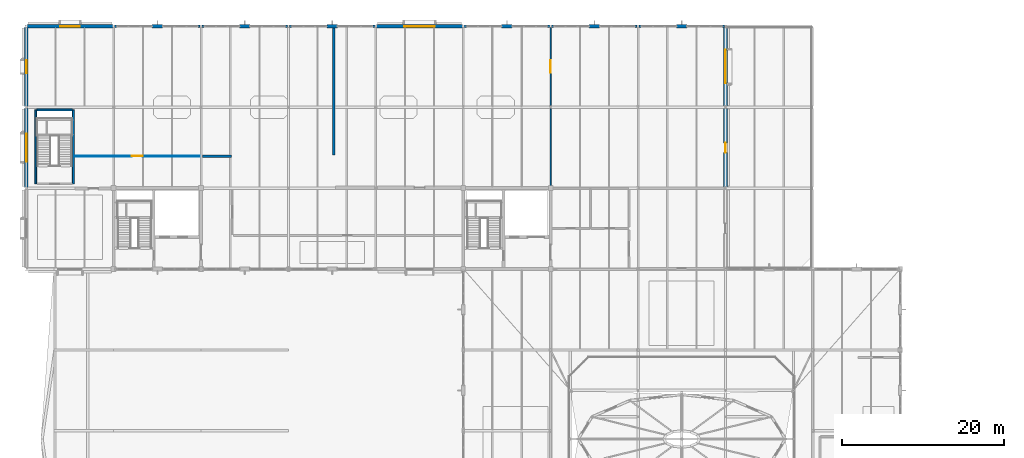
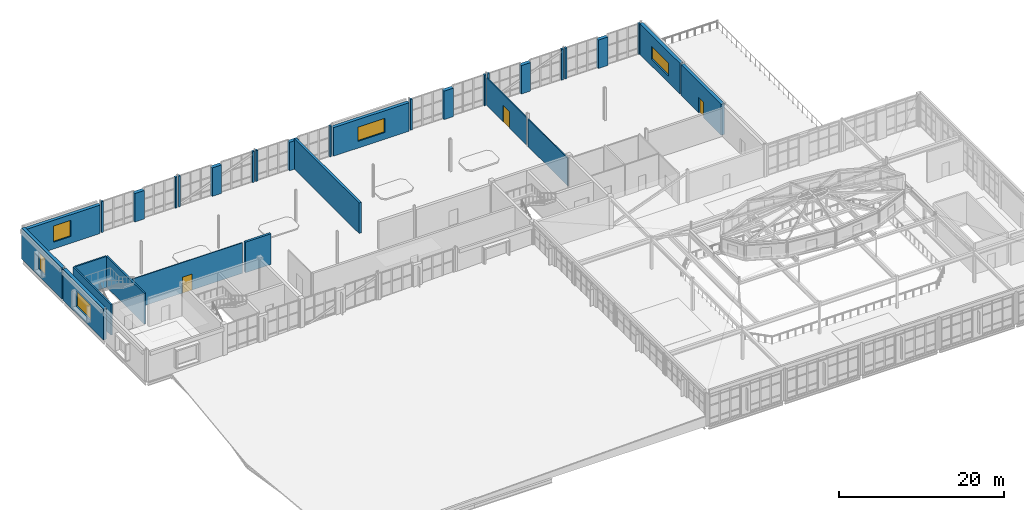
# One storey, part 77 of 86: 32 walls, 5 windows, 3 doors, 8 openings.
"""IFC4 building model written with IfcOpenShell, lengths in metres."""

from ifc_helpers import new_model, si_unit, direction, frame, frame_2d, origin, place, context, subcontext, project, spatial, rectangle, extrude, material, layer, layer_set, type_object, element, fill, save


model = new_model("IFC4")

# Units and contexts
model_context = context("Model", 3, precision=1e-05, world=origin(), true_north=direction((0.0, 1.0)))
body_context = subcontext(model_context, "Body", "Model", "MODEL_VIEW")
ifc_project = project(units=[si_unit("LENGTHUNIT", "METRE"), si_unit("AREAUNIT", "SQUARE_METRE"), si_unit("VOLUMEUNIT", "CUBIC_METRE"), si_unit("PLANEANGLEUNIT", "RADIAN"), si_unit("MASSUNIT", "GRAM", prefix="KILO")], contexts=[model_context])

# Site, building, storey
site_placement = place(None, origin())
site = spatial("IfcSite", under=ifc_project, at=site_placement, CompositionType="ELEMENT")
building_placement = place(site_placement, origin())
building = spatial("IfcBuilding", under=site, at=building_placement, Name="Tasgan Crest Museum", CompositionType="ELEMENT")
storey_placement = place(building_placement, frame((0.0, 0.0, 24.0)))
storey = spatial("IfcBuildingStorey", under=building, at=storey_placement, Name="L04", CompositionType="ELEMENT", Elevation=24.0)

# Walls
ifc_material_1 = material(Name="Precast concrete C40/50", Category="concrete")
ifc_layer_1 = layer(ifc_material_1, 0.320068359375, Name="WL-EXT-CLER-320")
ifc_layer_set_1 = layer_set([ifc_layer_1], Name="Precast concrete C40/50")
wall_type_1 = type_object("IfcWallType", Name="WL-EXT-CLER-320", PredefinedType="STANDARD", material=ifc_layer_set_1)
for number, where, z_axis, x_axis, name in (
    (1, (86.2939453125, 112.0, 0.0), (0.0, 0.0, 1.0), (-1.0, 0.0, 0.0), "Curtain wall jamb closure L04 JL"),
    (2, (75.969970703125, 112.0, 0.0), (0.0, 0.0, 1.0), (-1.0, 0.0, 0.0), "Curtain wall jamb closure L04 JR"),
    (3, (75.493896484375, 112.0, 0.0), (0.0, 0.0, 1.0), (-1.0, 0.0, 0.0), "Curtain wall jamb closure L04 JL"),
    (4, (65.169921875, 112.0, 0.0), (0.0, 0.0, 1.0), (-1.0, 0.0, 0.0), "Curtain wall jamb closure L04 JR"),
):
    element("IfcWall", number, at=place(storey_placement, frame(where, z_axis=z_axis, x_axis=x_axis)), inside=storey, type_object=wall_type_1, Name=name, PredefinedType="STANDARD", context=body_context, shape_type="SweptSolid", body=[
        extrude(rectangle(XDim=0.263916015625, YDim=0.300048828125, at=frame_2d((0.1318359375, 0.0))), origin(), (0.0, 0.0, 1.0), 4.56005859375),
    ])
for number, where, z_axis, x_axis, name in (
    (5, (64.694091796875, 112.0, 0.0), (0.0, 0.0, 1.0), (-1.0, 0.0, 0.0), "Curtain wall jamb closure L04 JL"),
    (6, (54.3701171875, 112.0, 0.0), (0.0, 0.0, 1.0), (-1.0, 0.0, 0.0), "Curtain wall jamb closure L04 JR"),
):
    element("IfcWall", number, at=place(storey_placement, frame(where, z_axis=z_axis, x_axis=x_axis)), inside=storey, type_object=wall_type_1, Name=name, PredefinedType="STANDARD", context=body_context, shape_type="SweptSolid", body=[
        extrude(rectangle(XDim=0.26416015625, YDim=0.300048828125, at=frame_2d((0.132080078125, 0.0))), origin(), (0.0, 0.0, 1.0), 4.56005859375),
    ])
for number, where, z_axis, x_axis, name in (
    (7, (43.093994140625, 112.0, 0.0), (0.0, 0.0, 1.0), (-1.0, 0.0, 0.0), "Curtain wall jamb closure L04 JL"),
    (8, (32.77001953125, 112.0, 0.0), (0.0, 0.0, 1.0), (-1.0, 0.0, 0.0), "Curtain wall jamb closure L04 JR"),
    (9, (32.2939453125, 112.0, 0.0), (0.0, 0.0, 1.0), (-1.0, 0.0, 0.0), "Curtain wall jamb closure L04 JL"),
    (10, (21.969970703125, 112.0, 0.0), (0.0, 0.0, 1.0), (-1.0, 0.0, 0.0), "Curtain wall jamb closure L04 JR"),
    (11, (21.493896484375, 112.0, 0.0), (0.0, 0.0, 1.0), (-1.0, 0.0, 0.0), "Curtain wall jamb closure L04 JL"),
    (12, (11.169921875, 112.0, 0.0), (0.0, 0.0, 1.0), (-1.0, 0.0, 0.0), "Curtain wall jamb closure L04 JR"),
):
    element("IfcWall", number, at=place(storey_placement, frame(where, z_axis=z_axis, x_axis=x_axis)), inside=storey, type_object=wall_type_1, Name=name, PredefinedType="STANDARD", context=body_context, shape_type="SweptSolid", body=[
        extrude(rectangle(XDim=0.263916015625, YDim=0.300048828125, at=frame_2d((0.1318359375, 0.0))), origin(), (0.0, 0.0, 1.0), 4.56005859375),
    ])
ifc_material_2 = material(Name="Precast concrete C40/50", Category="concrete")
ifc_layer_2 = layer(ifc_material_2, 0.47998046875, Name="WL-EXT-GRAN-480")
ifc_layer_set_2 = layer_set([ifc_layer_2], Name="Precast concrete C40/50")
wall_type_2 = type_object("IfcWallType", Name="WL-EXT-GRAN-480", PredefinedType="STANDARD", material=ifc_layer_set_2)
wall_1_placement = place(storey_placement, frame((81.64990234375, 112.0, 0.0), z_axis=(0.0, 0.0, 1.0), x_axis=(-1.0, 0.0, 0.0)))
element("IfcWall", 13, at=wall_1_placement, inside=storey, type_object=wall_type_2, Name="Postmodern facade stone pier L04", PredefinedType="STANDARD", context=body_context, shape_type="SweptSolid", body=[
    extrude(rectangle(XDim=1.2998046875, YDim=0.47998046875, at=frame_2d((0.64990234375, 0.0))), origin(), (0.0, 0.0, 1.0), 4.208984375),
])
for number, where, z_axis, x_axis, name in (
    (14, (70.85009765625, 112.0, 0.0), (0.0, 0.0, 1.0), (-1.0, 0.0, 0.0), "Postmodern facade stone pier L04"),
    (15, (60.050048828125, 112.0, 0.0), (0.0, 0.0, 1.0), (-1.0, 0.0, 0.0), "Postmodern facade stone pier L04"),
    (16, (38.449951171875, 112.0, 0.0), (0.0, 0.0, 1.0), (-1.0, 0.0, 0.0), "Postmodern facade stone pier L04"),
):
    element("IfcWall", number, at=place(storey_placement, frame(where, z_axis=z_axis, x_axis=x_axis)), inside=storey, type_object=wall_type_2, Name=name, PredefinedType="STANDARD", context=body_context, shape_type="SweptSolid", body=[
        extrude(rectangle(XDim=1.300048828125, YDim=0.47998046875, at=frame_2d((0.64990234375, 0.0))), origin(), (0.0, 0.0, 1.0), 4.218994140625),
    ])
wall_2_placement = place(storey_placement, frame((27.64990234375, 112.0, 0.0), z_axis=(0.0, 0.0, 1.0), x_axis=(-1.0, 0.0, 0.0)))
element("IfcWall", 17, at=wall_2_placement, inside=storey, type_object=wall_type_2, Name="Postmodern facade stone pier L04", PredefinedType="STANDARD", context=body_context, shape_type="SweptSolid", body=[
    extrude(rectangle(XDim=1.2998046875, YDim=0.47998046875, at=frame_2d((0.64990234375, 0.0))), origin(), (0.0, 0.0, 1.0), 4.218994140625),
])
wall_3_placement = place(storey_placement, frame((16.85009765625, 112.0, 0.0), z_axis=(0.0, 0.0, 1.0), x_axis=(-1.0, 0.0, 0.0)))
element("IfcWall", 18, at=wall_3_placement, inside=storey, type_object=wall_type_2, Name="Postmodern facade stone pier L04", PredefinedType="STANDARD", context=body_context, shape_type="SweptSolid", body=[
    extrude(rectangle(XDim=1.300048828125, YDim=0.47998046875, at=frame_2d((0.64990234375, 0.0))), origin(), (0.0, 0.0, 1.0), 4.218994140625),
])

# Wall, opening, door
ifc_material_3 = material(Name="Precast concrete C40/50", Category="concrete")
ifc_layer_3 = layer(ifc_material_3, 0.449951171875, Name="WL-EXT-LIME-450")
ifc_layer_set_3 = layer_set([ifc_layer_3], Name="Precast concrete C40/50")
wall_type_3 = type_object("IfcWallType", Name="WL-EXT-LIME-450", PredefinedType="STANDARD", material=ifc_layer_set_3)
wall_4_placement = place(storey_placement, frame((86.39990234375, 92.14501953125, 0.0), z_axis=(0.0, 0.0, 1.0), x_axis=(0.0, 1.0, 0.0)))
wall_4 = element("IfcWall", 19, at=wall_4_placement, inside=storey, type_object=wall_type_3, Name="Exterior wall L04 (86.4,97.0)", PredefinedType="STANDARD", context=body_context, shape_type="SweptSolid", body=[
    extrude(rectangle(XDim=9.7099609375, YDim=0.449951171875, at=frame_2d((4.85498046875, 0.0))), origin(), (0.0, 0.0, 1.0), 4.56005859375),
])
opening_1_placement = place(wall_4_placement, frame((4.2548828125, 0.0, 0.0)))
opening_1 = element("IfcOpeningElement", 20, at=opening_1_placement, cuts=wall_4, Name="Opening ED018", PredefinedType="OPENING", context=body_context, shape_type="SweptSolid", body=[
    extrude(rectangle(XDim=1.199951171875, YDim=2.300048828125, at=frame_2d((0.60009765625, 1.14990234375))), frame((0.0, 0.23486328125, 0.0), z_axis=(0.0, -1.0, 0.0), x_axis=(1.0, 0.0, 0.0)), (0.0, 0.0, 1.0), 0.469970703125),
])
ifc_material_4 = material(Name="Thermally Broken Insulated Steel and Bronze", Category="steel")
door_type_1 = type_object("IfcDoorType", Name="DR-TERR-SGL-1200", OperationType="NOTDEFINED", PredefinedType="DOOR", material=ifc_material_4)
door_1_placement = place(opening_1_placement, frame((1.199951171875, 0.0, 0.0), z_axis=(0.0, 0.0, 1.0), x_axis=(-1.0, 0.0, 0.0)))
door_1 = element("IfcDoor", 21, at=door_1_placement, inside=storey, type_object=door_type_1, Name="North sculpture terrace access door ED018", OperationType="SINGLE_SWING_RIGHT", OverallHeight=2.300048828125, OverallWidth=1.199951171875, PredefinedType="DOOR", context=body_context, shape_type="SweptSolid", body=[
    extrude(rectangle(XDim=1.199951171875, YDim=2.300048828125, at=frame_2d((0.60009765625, 1.14990234375))), frame((0.0, 0.02490234375, 0.0), z_axis=(0.0, -1.0, 0.0), x_axis=(1.0, 0.0, 0.0)), (0.0, 0.0, 1.0), 0.050048828125),
])
fill(opening_1, door_1)

# Wall, opening, window
wall_5_placement = place(storey_placement, frame((86.39990234375, 102.14501953125, 0.0), z_axis=(0.0, 0.0, 1.0), x_axis=(0.0, 1.0, 0.0)))
wall_5 = element("IfcWall", 22, at=wall_5_placement, inside=storey, type_object=wall_type_3, Name="Exterior wall L04 (86.4,107.0)", PredefinedType="STANDARD", context=body_context, shape_type="SweptSolid", body=[
    extrude(rectangle(XDim=9.7490234375, YDim=0.449951171875, at=frame_2d((4.87451171875, 0.0))), origin(), (0.0, 0.0, 1.0), 4.56005859375),
])
opening_2_placement = place(wall_5_placement, frame((2.824462890625, 0.0, 1.0)))
opening_2 = element("IfcOpeningElement", 23, at=opening_2_placement, cuts=wall_5, Name="Opening W33", PredefinedType="OPENING", context=body_context, shape_type="SweptSolid", body=[
    extrude(rectangle(XDim=4.10009765625, YDim=1.89990234375, at=frame_2d((2.050048828125, 0.949951171875))), frame((0.0, 0.23486328125, 0.0), z_axis=(0.0, -1.0, 0.0), x_axis=(1.0, 0.0, 0.0)), (0.0, 0.0, 1.0), 0.469970703125),
])
ifc_material_5 = material(Name="Thermally Broken Triple-Glazed Aluminium", Category="aluminium")
window_type_1 = type_object("IfcWindowType", Name="WN-GAL-4100X1900", PartitioningType="SINGLE_PANEL", PredefinedType="WINDOW", material=ifc_material_5)
window_1_placement = place(opening_2_placement, origin())
window_1 = element("IfcWindow", 24, at=window_1_placement, inside=storey, type_object=window_type_1, Name="Window W33 L04-060", OverallHeight=1.89990234375, OverallWidth=4.10009765625, PartitioningType="SINGLE_PANEL", PredefinedType="WINDOW", context=body_context, shape_type="SweptSolid", body=[
    extrude(rectangle(XDim=4.10009765625, YDim=1.89990234375, at=frame_2d((2.050048828125, 0.949951171875))), frame((0.0, 0.030029296875, 0.0), z_axis=(0.0, -1.0, 0.0), x_axis=(1.0, 0.0, 0.0)), (0.0, 0.0, 1.0), 0.06005859375),
])
fill(opening_2, window_1)

wall_6_placement = place(storey_placement, frame((53.89404296875, 112.0, 0.0), z_axis=(0.0, 0.0, 1.0), x_axis=(-1.0, 0.0, 0.0)))
wall_6 = element("IfcWall", 25, at=wall_6_placement, inside=storey, type_object=wall_type_3, Name="Exterior wall L04 (48.6,112.0)", PredefinedType="STANDARD", context=body_context, shape_type="SweptSolid", body=[
    extrude(rectangle(XDim=10.588134765625, YDim=0.449951171875, at=frame_2d((5.2939453125, 0.0))), origin(), (0.0, 0.0, 1.0), 4.218994140625),
])
opening_3_placement = place(wall_6_placement, frame((3.39404296875, 0.0, 1.0)))
opening_3 = element("IfcOpeningElement", 26, at=opening_3_placement, cuts=wall_6, Name="Opening W23", PredefinedType="OPENING", context=body_context, shape_type="SweptSolid", body=[
    extrude(rectangle(XDim=3.800048828125, YDim=2.10009765625, at=frame_2d((1.89990234375, 1.050048828125))), frame((0.0, 0.23486328125, 0.0), z_axis=(0.0, -1.0, 0.0), x_axis=(1.0, 0.0, 0.0)), (0.0, 0.0, 1.0), 0.469970703125),
])
ifc_material_6 = material(Name="Thermally Broken Triple-Glazed Aluminium", Category="aluminium")
window_type_2 = type_object("IfcWindowType", Name="WN-GAL-3800X2100", PartitioningType="SINGLE_PANEL", PredefinedType="WINDOW", material=ifc_material_6)
window_2_placement = place(opening_3_placement, origin())
window_2 = element("IfcWindow", 27, at=window_2_placement, inside=storey, type_object=window_type_2, Name="Window W23 L04-061", OverallHeight=2.10009765625, OverallWidth=3.800048828125, PartitioningType="SINGLE_PANEL", PredefinedType="WINDOW", context=body_context, shape_type="SweptSolid", body=[
    extrude(rectangle(XDim=3.800048828125, YDim=2.10009765625, at=frame_2d((1.89990234375, 1.050048828125))), frame((0.0, 0.030029296875, 0.0), z_axis=(0.0, -1.0, 0.0), x_axis=(1.0, 0.0, 0.0)), (0.0, 0.0, 1.0), 0.06005859375),
])
fill(opening_3, window_2)

wall_7_placement = place(storey_placement, frame((10.694091796875, 112.0, 0.0), z_axis=(0.0, 0.0, 1.0), x_axis=(-1.0, 0.0, 0.0)))
wall_7 = element("IfcWall", 28, at=wall_7_placement, inside=storey, type_object=wall_type_3, Name="Exterior wall L04 (5.4,112.0)", PredefinedType="STANDARD", context=body_context, shape_type="SweptSolid", body=[
    extrude(rectangle(XDim=10.588134765625, YDim=0.449951171875, at=frame_2d((5.2939453125, 0.0))), origin(), (0.0, 0.0, 1.0), 4.218994140625),
])
opening_4_placement = place(wall_7_placement, frame((4.093994140625, 0.0, 1.0)))
opening_4 = element("IfcOpeningElement", 29, at=opening_4_placement, cuts=wall_7, Name="Opening W05", PredefinedType="OPENING", context=body_context, shape_type="SweptSolid", body=[
    extrude(rectangle(XDim=2.39990234375, YDim=2.39990234375, at=frame_2d((1.199951171875, 1.199951171875))), frame((0.0, 0.23486328125, 0.0), z_axis=(0.0, -1.0, 0.0), x_axis=(1.0, 0.0, 0.0)), (0.0, 0.0, 1.0), 0.469970703125),
])
ifc_material_7 = material(Name="Thermally Broken Triple-Glazed Aluminium", Category="aluminium")
window_type_3 = type_object("IfcWindowType", Name="WN-GAL-2400X2400", PartitioningType="SINGLE_PANEL", PredefinedType="WINDOW", material=ifc_material_7)
window_3_placement = place(opening_4_placement, origin())
window_3 = element("IfcWindow", 30, at=window_3_placement, inside=storey, type_object=window_type_3, Name="Window W05 L04-062", OverallHeight=2.39990234375, OverallWidth=2.39990234375, PartitioningType="SINGLE_PANEL", PredefinedType="WINDOW", context=body_context, shape_type="SweptSolid", body=[
    extrude(rectangle(XDim=2.39990234375, YDim=2.39990234375, at=frame_2d((1.199951171875, 1.199951171875))), frame((0.0, 0.030029296875, 0.0), z_axis=(0.0, -1.0, 0.0), x_axis=(1.0, 0.0, 0.0)), (0.0, 0.0, 1.0), 0.06005859375),
])
fill(opening_4, window_3)

wall_8_placement = place(storey_placement, frame((0.0, 111.89404296875, 0.0), z_axis=(0.0, 0.0, 1.0), x_axis=(0.0, -1.0, 0.0)))
wall_8 = element("IfcWall", 31, at=wall_8_placement, inside=storey, type_object=wall_type_3, Name="Exterior wall L04 (0.0,107.0)", PredefinedType="STANDARD", context=body_context, shape_type="SweptSolid", body=[
    extrude(rectangle(XDim=9.7880859375, YDim=0.449951171875, at=frame_2d((4.89404296875, 0.0))), origin(), (0.0, 0.0, 1.0), 4.56005859375),
])
opening_5_placement = place(wall_8_placement, frame((4.118896484375, 0.0, 1.0)))
opening_5 = element("IfcOpeningElement", 32, at=opening_5_placement, cuts=wall_8, Name="Opening W34", PredefinedType="OPENING", context=body_context, shape_type="SweptSolid", body=[
    extrude(rectangle(XDim=1.550048828125, YDim=2.5, at=frame_2d((0.77490234375, 1.25))), frame((0.0, 0.23486328125, 0.0), z_axis=(0.0, -1.0, 0.0), x_axis=(1.0, 0.0, 0.0)), (0.0, 0.0, 1.0), 0.469970703125),
])
ifc_material_8 = material(Name="Thermally Broken Triple-Glazed Aluminium", Category="aluminium")
window_type_4 = type_object("IfcWindowType", Name="WN-GAL-1550X2500", PartitioningType="SINGLE_PANEL", PredefinedType="WINDOW", material=ifc_material_8)
window_4_placement = place(opening_5_placement, origin())
window_4 = element("IfcWindow", 33, at=window_4_placement, inside=storey, type_object=window_type_4, Name="Window W34 L04-063", OverallHeight=2.5, OverallWidth=1.550048828125, PartitioningType="SINGLE_PANEL", PredefinedType="WINDOW", context=body_context, shape_type="SweptSolid", body=[
    extrude(rectangle(XDim=1.550048828125, YDim=2.5, at=frame_2d((0.77490234375, 1.25))), frame((0.0, 0.030029296875, 0.0), z_axis=(0.0, -1.0, 0.0), x_axis=(1.0, 0.0, 0.0)), (0.0, 0.0, 1.0), 0.06005859375),
])
fill(opening_5, window_4)

wall_9_placement = place(storey_placement, frame((0.0, 101.89404296875, 0.0), z_axis=(0.0, 0.0, 1.0), x_axis=(0.0, -1.0, 0.0)))
wall_9 = element("IfcWall", 34, at=wall_9_placement, inside=storey, type_object=wall_type_3, Name="Exterior wall L04 (0.0,97.0)", PredefinedType="STANDARD", context=body_context, shape_type="SweptSolid", body=[
    extrude(rectangle(XDim=9.7880859375, YDim=0.449951171875, at=frame_2d((4.89404296875, 0.0))), origin(), (0.0, 0.0, 1.0), 4.56005859375),
])
opening_6_placement = place(wall_9_placement, frame((3.14404296875, 0.0, 1.0)))
opening_6 = element("IfcOpeningElement", 35, at=opening_6_placement, cuts=wall_9, Name="Opening W32", PredefinedType="OPENING", context=body_context, shape_type="SweptSolid", body=[
    extrude(rectangle(XDim=3.5, YDim=2.300048828125, at=frame_2d((1.75, 1.14990234375))), frame((0.0, 0.23486328125, 0.0), z_axis=(0.0, -1.0, 0.0), x_axis=(1.0, 0.0, 0.0)), (0.0, 0.0, 1.0), 0.469970703125),
])
ifc_material_9 = material(Name="Thermally Broken Triple-Glazed Aluminium", Category="aluminium")
window_type_5 = type_object("IfcWindowType", Name="WN-GAL-3500X2300", PartitioningType="SINGLE_PANEL", PredefinedType="WINDOW", material=ifc_material_9)
window_5_placement = place(opening_6_placement, origin())
window_5 = element("IfcWindow", 36, at=window_5_placement, inside=storey, type_object=window_type_5, Name="Window W32 L04-064", OverallHeight=2.300048828125, OverallWidth=3.5, PartitioningType="SINGLE_PANEL", PredefinedType="WINDOW", context=body_context, shape_type="SweptSolid", body=[
    extrude(rectangle(XDim=3.5, YDim=2.300048828125, at=frame_2d((1.75, 1.14990234375))), frame((0.0, 0.030029296875, 0.0), z_axis=(0.0, -1.0, 0.0), x_axis=(1.0, 0.0, 0.0)), (0.0, 0.0, 1.0), 0.06005859375),
])
fill(opening_6, window_5)

# Wall, opening, door
ifc_material_10 = material(Name="Gypsum Acoustic Museum Partition")
ifc_layer_4 = layer(ifc_material_10, 0.110107421875, Name="WL-SCH-01")
ifc_layer_set_4 = layer_set([ifc_layer_4], Name="Gypsum Acoustic Museum Partition")
wall_type_4 = type_object("IfcWallType", Name="WL-SCH-01", PredefinedType="PARTITIONING", material=ifc_layer_set_4)
wall_10_placement = place(storey_placement, frame((6.0, 95.949951171875, 0.0), z_axis=(0.0, 0.0, 1.0), x_axis=(1.0, 0.0, 0.0)))
wall_10 = element("IfcWall", 37, at=wall_10_placement, inside=storey, type_object=wall_type_4, Name="Partition L04 North-West Stair Link Corridor / Precious Stone and Crystal Treasury Gallery L04", PredefinedType="PARTITIONING", context=body_context, shape_type="SweptSolid", body=[
    extrude(rectangle(XDim=15.419921875, YDim=0.110107421875, at=frame_2d((7.7099609375, 0.0))), origin(), (0.0, 0.0, 1.0), 4.52001953125),
])
opening_7_placement = place(wall_10_placement, frame((7.034912109375, 0.0, 0.0)))
opening_7 = element("IfcOpeningElement", 38, at=opening_7_placement, cuts=wall_10, Name="Opening D092", PredefinedType="OPENING", context=body_context, shape_type="SweptSolid", body=[
    extrude(rectangle(XDim=1.35009765625, YDim=2.35009765625, at=frame_2d((0.675048828125, 1.175048828125))), frame((0.0, 0.06494140625, 0.0), z_axis=(0.0, -1.0, 0.0), x_axis=(1.0, 0.0, 0.0)), (0.0, 0.0, 1.0), 0.130126953125),
])
ifc_material_11 = material(Name="Oak and Brushed Bronze Acoustic Door")
door_type_2 = type_object("IfcDoorType", Name="DR-SCH-08", OperationType="NOTDEFINED", PredefinedType="DOOR", material=ifc_material_11)
door_2_placement = place(opening_7_placement, origin())
door_2 = element("IfcDoor", 39, at=door_2_placement, inside=storey, type_object=door_type_2, Name="Precious Stone and Crystal Treasury Gallery door D092", OperationType="SINGLE_SWING_RIGHT", OverallHeight=2.35009765625, OverallWidth=1.35009765625, PredefinedType="DOOR", context=body_context, shape_type="SweptSolid", body=[
    extrude(rectangle(XDim=1.35009765625, YDim=2.35009765625, at=frame_2d((0.675048828125, 1.175048828125))), frame((0.0, 0.02490234375, 0.0), z_axis=(0.0, -1.0, 0.0), x_axis=(1.0, 0.0, 0.0)), (0.0, 0.0, 1.0), 0.050048828125),
])
fill(opening_7, door_2)

# Wall
ifc_material_12 = material(Name="Gypsum Acoustic Museum Partition")
ifc_layer_5 = layer(ifc_material_12, 0.14990234375, Name="WL-SCH-03")
ifc_layer_set_5 = layer_set([ifc_layer_5], Name="Gypsum Acoustic Museum Partition")
wall_type_5 = type_object("IfcWallType", Name="WL-SCH-03", PredefinedType="PARTITIONING", material=ifc_layer_set_5)
wall_11_placement = place(storey_placement, frame((64.800048828125, 92.179931640625, 0.0), z_axis=(0.0, 0.0, 1.0), x_axis=(0.0, 1.0, 0.0)))
element("IfcWall", 40, at=wall_11_placement, inside=storey, type_object=wall_type_5, Name="Partition Central Asian Tectonics Exhibition Gallery / Rare Natural-History Reading Room L04", PredefinedType="PARTITIONING", context=body_context, shape_type="SweptSolid", body=[
    extrude(rectangle(XDim=9.6201171875, YDim=0.14990234375, at=frame_2d((4.81005859375, 0.0))), origin(), (0.0, 0.0, 1.0), 4.06005859375),
])

# Wall, opening, door
wall_12_placement = place(storey_placement, frame((64.800048828125, 102.199951171875, 0.0), z_axis=(0.0, 0.0, 1.0), x_axis=(0.0, 1.0, 0.0)))
wall_12 = element("IfcWall", 41, at=wall_12_placement, inside=storey, type_object=wall_type_5, Name="Partition Central Asian Tectonics Exhibition Gallery / Rare Natural-History Reading Room L04", PredefinedType="PARTITIONING", context=body_context, shape_type="SweptSolid", body=[
    extrude(rectangle(XDim=9.6201171875, YDim=0.14990234375, at=frame_2d((4.81005859375, 0.0))), origin(), (0.0, 0.0, 1.0), 4.06005859375),
])
opening_8_placement = place(wall_12_placement, frame((4.034912109375, 0.0, 0.0)))
opening_8 = element("IfcOpeningElement", 42, at=opening_8_placement, cuts=wall_12, Name="Opening D094", PredefinedType="OPENING", context=body_context, shape_type="SweptSolid", body=[
    extrude(rectangle(XDim=1.550048828125, YDim=2.39990234375, at=frame_2d((0.77490234375, 1.199951171875))), frame((0.0, 0.0849609375, 0.0), z_axis=(0.0, -1.0, 0.0), x_axis=(1.0, 0.0, 0.0)), (0.0, 0.0, 1.0), 0.169921875),
])
ifc_material_13 = material(Name="Oak and Brushed Bronze Acoustic Door")
door_type_3 = type_object("IfcDoorType", Name="DR-SCH-10", OperationType="NOTDEFINED", PredefinedType="DOOR", material=ifc_material_13)
door_3_placement = place(opening_8_placement, origin())
door_3 = element("IfcDoor", 43, at=door_3_placement, inside=storey, type_object=door_type_3, Name="Rare Natural-History Reading Room door D094", OperationType="SINGLE_SWING_RIGHT", OverallHeight=2.39990234375, OverallWidth=1.550048828125, PredefinedType="DOOR", context=body_context, shape_type="SweptSolid", body=[
    extrude(rectangle(XDim=1.550048828125, YDim=2.39990234375, at=frame_2d((0.77490234375, 1.199951171875))), frame((0.0, 0.02490234375, 0.0), z_axis=(0.0, -1.0, 0.0), x_axis=(1.0, 0.0, 0.0)), (0.0, 0.0, 1.0), 0.050048828125),
])
fill(opening_8, door_3)

# Walls
ifc_material_14 = material(Name="Gypsum Acoustic Museum Partition")
ifc_layer_6 = layer(ifc_material_14, 0.31005859375, Name="WL-SCH-10")
ifc_layer_set_6 = layer_set([ifc_layer_6], Name="Gypsum Acoustic Museum Partition")
wall_type_6 = type_object("IfcWallType", Name="WL-SCH-10", PredefinedType="PARTITIONING", material=ifc_layer_set_6)
wall_13_placement = place(storey_placement, frame((21.780029296875, 95.949951171875, 0.0), z_axis=(0.0, 0.0, 1.0), x_axis=(1.0, 0.0, 0.0)))
element("IfcWall", 44, at=wall_13_placement, inside=storey, type_object=wall_type_6, Name="Partition L04 West Core Link Corridor / Precious Stone and Crystal Treasury Gallery L04", PredefinedType="PARTITIONING", context=body_context, shape_type="SweptSolid", body=[
    extrude(rectangle(XDim=3.570068359375, YDim=0.31005859375, at=frame_2d((1.78515625, 0.0))), origin(), (0.0, 0.0, 1.0), 4.52001953125),
])
ifc_material_15 = material(Name="Gypsum Acoustic Museum Partition")
ifc_layer_7 = layer(ifc_material_15, 0.330078125, Name="WL-SCH-11")
ifc_layer_set_7 = layer_set([ifc_layer_7], Name="Gypsum Acoustic Museum Partition")
wall_type_7 = type_object("IfcWallType", Name="WL-SCH-11", PredefinedType="PARTITIONING", material=ifc_layer_set_7)
wall_14_placement = place(storey_placement, frame((38.0, 96.10009765625, 0.0), z_axis=(0.0, 0.0, 1.0), x_axis=(0.0, 1.0, 0.0)))
element("IfcWall", 45, at=wall_14_placement, inside=storey, type_object=wall_type_7, Name="Partition Precious Stone and Crystal Treasury Gallery / Central Asian Tectonics Exhibition Gallery L04", PredefinedType="PARTITIONING", context=body_context, shape_type="SweptSolid", body=[
    extrude(rectangle(XDim=15.719970703125, YDim=0.330078125, at=frame_2d((7.85986328125, 0.0))), origin(), (0.0, 0.0, 1.0), 4.52001953125),
])
ifc_material_16 = material(Name="Concrete C40/50", Category="concrete")
ifc_layer_8 = layer(ifc_material_16, 0.219970703125, Name="WL-SHAFT-220")
ifc_layer_set_8 = layer_set([ifc_layer_8], Name="Concrete C40/50")
wall_type_8 = type_object("IfcWallType", Name="WL-SHAFT-220", PredefinedType="SHEAR", material=ifc_layer_set_8)
for number, where, z_axis, x_axis, name in (
    (46, (1.179931640625, 92.530029296875, 0.0), (0.0, 0.0, 1.0), (0.0, 1.0, 0.0), "GALW stairwell wall L04 W"),
    (47, (5.820068359375, 92.530029296875, 0.0), (0.0, 0.0, 1.0), (0.0, 1.0, 0.0), "GALW stairwell wall L04 E"),
):
    element("IfcWall", number, at=place(storey_placement, frame(where, z_axis=z_axis, x_axis=x_axis)), inside=storey, type_object=wall_type_8, Name=name, PredefinedType="SHEAR", context=body_context, shape_type="SweptSolid", body=[
        extrude(rectangle(XDim=9.139892578125, YDim=0.219970703125, at=frame_2d((4.56982421875, 0.0))), origin(), (0.0, 0.0, 1.0), 4.56005859375),
    ])
wall_15_placement = place(storey_placement, frame((1.300048828125, 101.669921875, 0.0), z_axis=(0.0, 0.0, 1.0), x_axis=(1.0, 0.0, 0.0)))
element("IfcWall", 48, at=wall_15_placement, inside=storey, type_object=wall_type_8, Name="GALW stairwell wall L04 N", PredefinedType="SHEAR", context=body_context, shape_type="SweptSolid", body=[
    extrude(rectangle(XDim=4.39990234375, YDim=0.219970703125, at=frame_2d((2.199951171875, 0.0))), origin(), (0.0, 0.0, 1.0), 4.56005859375),
])

save(model, "model.ifc")
